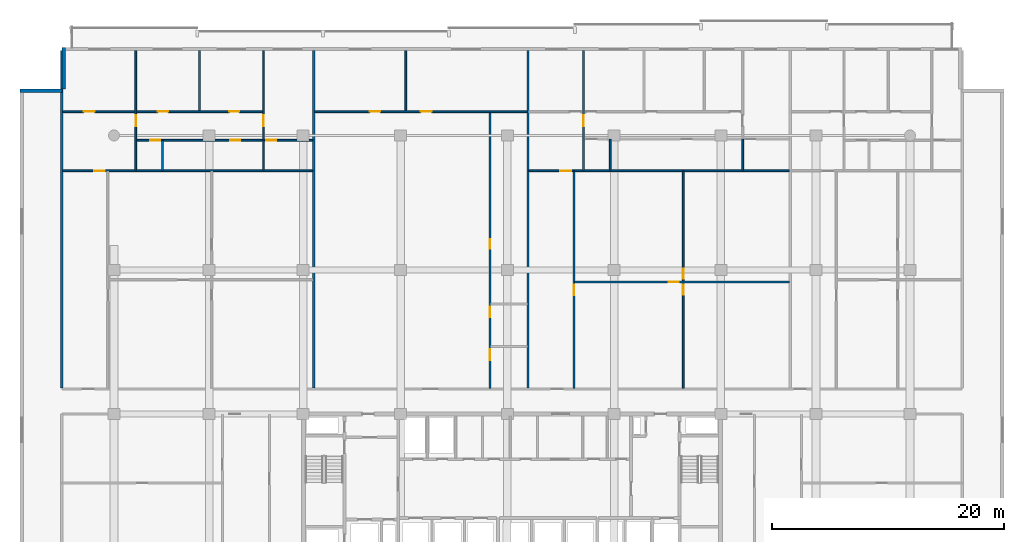
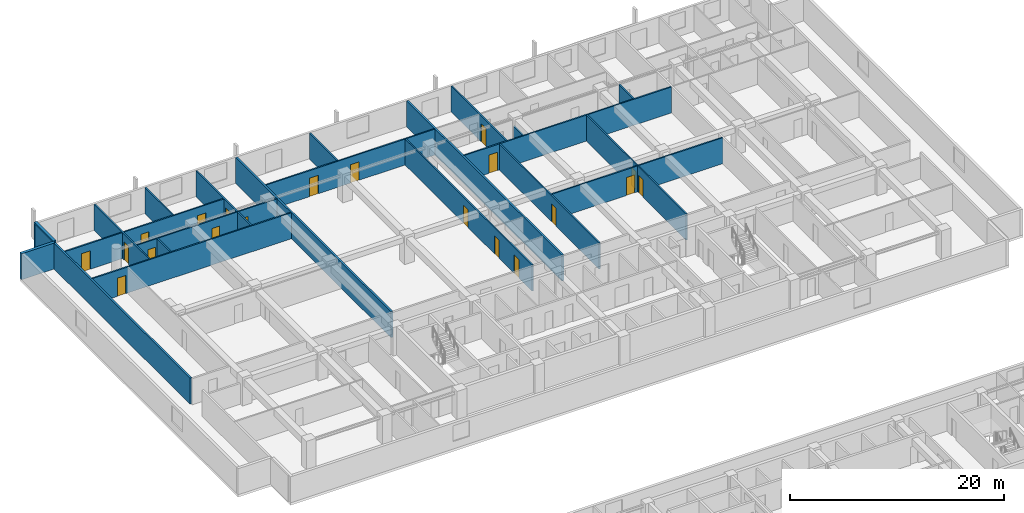
# One storey, part 14 of 23: 23 walls, 20 doors, 20 openings.
"""IFC4 building model written with IfcOpenShell, lengths in metres."""

from ifc_helpers import new_model, si_unit, direction, frame, frame_2d, origin, place, context, subcontext, project, spatial, rectangle, extrude, material, layer, layer_set, type_object, element, fill, save


model = new_model("IFC4")

# Units and contexts
model_context = context("Model", 3, precision=1e-05, world=origin(), true_north=direction((0.0, 1.0)))
body_context = subcontext(model_context, "Body", "Model", "MODEL_VIEW")
ifc_project = project(units=[si_unit("LENGTHUNIT", "METRE"), si_unit("AREAUNIT", "SQUARE_METRE"), si_unit("VOLUMEUNIT", "CUBIC_METRE"), si_unit("PLANEANGLEUNIT", "RADIAN"), si_unit("MASSUNIT", "GRAM", prefix="KILO")], contexts=[model_context])

# Site, building, storey
site_placement = place(None, origin())
site = spatial("IfcSite", under=ifc_project, at=site_placement, CompositionType="ELEMENT")
building_placement = place(site_placement, origin())
building = spatial("IfcBuilding", under=site, at=building_placement, Name="Korimba Cascade Residences", CompositionType="ELEMENT")
storey_placement = place(building_placement, frame((0.0, 0.0, 59.75)))
storey = spatial("IfcBuildingStorey", under=building, at=storey_placement, Name="L16", CompositionType="ELEMENT", Elevation=59.75)

# Walls
ifc_material_1 = material(Name="Precast concrete C40/50", Category="concrete")
ifc_layer_1 = layer(ifc_material_1, 0.300048828125)
ifc_layer_set_1 = layer_set([ifc_layer_1], Name="Precast concrete C40/50")
wall_type_1 = type_object("IfcWallType", Name="EW-STONE-300", PredefinedType="STANDARD", material=ifc_layer_set_1)
for number, where, z_axis, x_axis, name in (
    (1, (55.449951171875, 98.800048828125, 0.0), (0.0, 0.0, 1.0), (0.0, -1.0, 0.0), "L16 T1 Perimeter Stone Wall E07"),
    (2, (55.300048828125, 95.050048828125, 0.0), (0.0, 0.0, 1.0), (-1.0, 0.0, 0.0), "L16 T1 Perimeter Stone Wall E08"),
):
    element("IfcWall", number, at=place(storey_placement, frame(where, z_axis=z_axis, x_axis=x_axis)), inside=storey, type_object=wall_type_1, Name=name, PredefinedType="STANDARD", context=body_context, shape_type="SweptSolid", body=[
        extrude(rectangle(XDim=3.60009765625, YDim=0.300048828125, at=frame_2d((1.800048828125, 0.0))), origin(), (0.0, 0.0, 1.0), 2.969970703125),
    ])
ifc_layer_2 = layer(ifc_material_1, 0.199951171875)
ifc_layer_set_2 = layer_set([ifc_layer_2], Name="Precast concrete C40/50")
wall_type_2 = type_object("IfcWallType", Name="WAL-IT-200", PredefinedType="PARTITIONING", material=ifc_layer_set_2)
for number, where, z_axis, x_axis, name in (
    (3, (55.300048828125, 69.429931640625, 0.0), (0.0, 0.0, 1.0), (0.0, 1.0, 0.0), "L16 Partition Wall WAL-L16-T1-BNDWL"),
    (4, (77.00341796875, 69.429931640625, 0.0), (0.0, 0.0, 1.0), (0.0, 1.0, 0.0), "L16 Partition Wall WAL-L16-T1-DEM-1"),
    (5, (95.477294921875, 69.429931640625, 0.0), (0.0, 0.0, 1.0), (0.0, 1.0, 0.0), "L16 Partition Wall WAL-L16-T1-DEM-2"),
):
    element("IfcWall", number, at=place(storey_placement, frame(where, z_axis=z_axis, x_axis=x_axis)), inside=storey, type_object=wall_type_2, Name=name, PredefinedType="PARTITIONING", context=body_context, shape_type="SweptSolid", body=[
        extrude(rectangle(XDim=29.070068359375, YDim=0.199951171875, at=frame_2d((14.53515625, 0.0))), origin(), (0.0, 0.0, 1.0), 2.969970703125),
    ])
ifc_material_2 = material(Name="Insulated Acoustic Stud Partition", Category="gypsum")
ifc_layer_3 = layer(ifc_material_2, 0.14990234375)
ifc_layer_set_3 = layer_set([ifc_layer_3], Name="Insulated Acoustic Stud Partition")
wall_type_3 = type_object("IfcWallType", Name="WAL-PART-150", PredefinedType="PARTITIONING", material=ifc_layer_set_3)
wall_1_placement = place(storey_placement, frame((63.989990234375, 88.18994140625, 0.0), z_axis=(0.0, 0.0, 1.0), x_axis=(0.0, 1.0, 0.0)))
element("IfcWall", 6, at=wall_1_placement, inside=storey, type_object=wall_type_3, Name="L16 Partition Wall WAL-L16-T1-U01-VDRS", PredefinedType="PARTITIONING", context=body_context, shape_type="SweptSolid", body=[
    extrude(rectangle(XDim=2.580078125, YDim=0.14990234375, at=frame_2d((1.2900390625, 0.0))), origin(), (0.0, 0.0, 1.0), 2.969970703125),
])
wall_2_placement = place(storey_placement, frame((67.1767578125, 93.330078125, 0.0), z_axis=(0.0, 0.0, 1.0), x_axis=(0.0, 1.0, 0.0)))
element("IfcWall", 7, at=wall_2_placement, inside=storey, type_object=wall_type_3, Name="L16 Partition Wall WAL-L16-T1-U01-VB3", PredefinedType="PARTITIONING", context=body_context, shape_type="SweptSolid", body=[
    extrude(rectangle(XDim=5.169921875, YDim=0.14990234375, at=frame_2d((2.5849609375, 0.0))), origin(), (0.0, 0.0, 1.0), 2.969970703125),
])

# Wall, opening, door
wall_3_placement = place(storey_placement, frame((61.679931640625, 88.18994140625, 0.0), z_axis=(0.0, 0.0, 1.0), x_axis=(0.0, 1.0, 0.0)))
wall_3 = element("IfcWall", 8, at=wall_3_placement, inside=storey, type_object=wall_type_3, Name="L16 Partition Wall WAL-L16-T1-U01-V1", PredefinedType="PARTITIONING", context=body_context, shape_type="SweptSolid", body=[
    extrude(rectangle(XDim=10.31005859375, YDim=0.14990234375, at=frame_2d((5.155029296875, 0.0))), origin(), (0.0, 0.0, 1.0), 2.969970703125),
])
opening_1_placement = place(wall_3_placement, frame((3.820068359375, 0.0, 0.0)))
opening_1 = element("IfcOpeningElement", 9, at=opening_1_placement, cuts=wall_3, Name="Opening D-IN1", PredefinedType="OPENING", context=body_context, shape_type="SweptSolid", body=[
    extrude(rectangle(XDim=0.919921875, YDim=2.080078125, at=frame_2d((0.4599609375, 1.0400390625))), frame((0.0, 0.0849609375, 0.0), z_axis=(0.0, -1.0, 0.0), x_axis=(1.0, 0.0, 0.0)), (0.0, 0.0, 1.0), 0.169921875),
])
ifc_material_3 = material(Name="Acoustic Timber Living Door", Category="wood")
door_type_1 = type_object("IfcDoorType", Name="DR-INT-920", OperationType="NOTDEFINED", PredefinedType="DOOR", material=ifc_material_3)
door_1_placement = place(opening_1_placement, origin())
door_1 = element("IfcDoor", 10, at=door_1_placement, inside=storey, type_object=door_type_1, Name="L16-T1-U01 Hallway Door", OperationType="SINGLE_SWING_RIGHT", OverallHeight=2.080078125, OverallWidth=0.919921875, PredefinedType="DOOR", context=body_context, shape_type="SweptSolid", body=[
    extrude(rectangle(XDim=0.919921875, YDim=2.080078125, at=frame_2d((0.4599609375, 1.0400390625))), frame((0.0, 0.02490234375, 0.0), z_axis=(0.0, -1.0, 0.0), x_axis=(1.0, 0.0, 0.0)), (0.0, 0.0, 1.0), 0.050048828125),
])
fill(opening_1, door_1)

# Wall
wall_4_placement = place(storey_placement, frame((72.673583984375, 88.18994140625, 0.0), z_axis=(0.0, 0.0, 1.0), x_axis=(0.0, 1.0, 0.0)))
element("IfcWall", 11, at=wall_4_placement, inside=storey, type_object=wall_type_3, Name="L16 Partition Wall WAL-L16-T1-U01-VBATH", PredefinedType="PARTITIONING", context=body_context, shape_type="SweptSolid", body=[
    extrude(rectangle(XDim=2.580078125, YDim=0.14990234375, at=frame_2d((1.2900390625, 0.0))), origin(), (0.0, 0.0, 1.0), 2.969970703125),
])

# Wall, opening, door
wall_5_placement = place(storey_placement, frame((72.673583984375, 90.81005859375, 0.0), z_axis=(0.0, 0.0, 1.0), x_axis=(0.0, 1.0, 0.0)))
wall_5 = element("IfcWall", 12, at=wall_5_placement, inside=storey, type_object=wall_type_3, Name="L16 Partition Wall WAL-L16-T1-U01-V2FULL", PredefinedType="PARTITIONING", context=body_context, shape_type="SweptSolid", body=[
    extrude(rectangle(XDim=7.68994140625, YDim=0.14990234375, at=frame_2d((3.844970703125, 0.0))), origin(), (0.0, 0.0, 1.0), 2.969970703125),
])
opening_2_placement = place(wall_5_placement, frame((1.199951171875, 0.0, 0.0)))
opening_2 = element("IfcOpeningElement", 13, at=opening_2_placement, cuts=wall_5, Name="Opening D-IN1", PredefinedType="OPENING", context=body_context, shape_type="SweptSolid", body=[
    extrude(rectangle(XDim=0.919921875, YDim=2.080078125, at=frame_2d((0.4599609375, 1.0400390625))), frame((0.0, 0.0849609375, 0.0), z_axis=(0.0, -1.0, 0.0), x_axis=(1.0, 0.0, 0.0)), (0.0, 0.0, 1.0), 0.169921875),
])
door_2_placement = place(opening_2_placement, origin())
door_2 = element("IfcDoor", 14, at=door_2_placement, inside=storey, type_object=door_type_1, Name="L16-T1-U01 Master Bedroom Door", OperationType="SINGLE_SWING_LEFT", OverallHeight=2.080078125, OverallWidth=0.919921875, PredefinedType="DOOR", context=body_context, shape_type="SweptSolid", body=[
    extrude(rectangle(XDim=0.919921875, YDim=2.080078125, at=frame_2d((0.4599609375, 1.0400390625))), frame((0.0, 0.02490234375, 0.0), z_axis=(0.0, -1.0, 0.0), x_axis=(1.0, 0.0, 0.0)), (0.0, 0.0, 1.0), 0.050048828125),
])
fill(opening_2, door_2)

# Wall, openings, doors
wall_6_placement = place(storey_placement, frame((61.719970703125, 90.7900390625, 0.0), z_axis=(0.0, 0.0, 1.0), x_axis=(1.0, 0.0, 0.0)))
wall_6 = element("IfcWall", 15, at=wall_6_placement, inside=storey, type_object=wall_type_3, Name="L16 Partition Wall WAL-L16-T1-U01-HWALL", PredefinedType="PARTITIONING", context=body_context, shape_type="SweptSolid", body=[
    extrude(rectangle(XDim=15.20361328125, YDim=0.14990234375, at=frame_2d((7.601806640625, 0.0))), origin(), (0.0, 0.0, 1.0), 2.969970703125),
])
opening_3_placement = place(wall_6_placement, frame((1.2099609375, 0.0, 0.0)))
opening_3 = element("IfcOpeningElement", 16, at=opening_3_placement, cuts=wall_6, Name="Opening D-BT1", PredefinedType="OPENING", context=body_context, shape_type="SweptSolid", body=[
    extrude(rectangle(XDim=0.840087890625, YDim=2.0400390625, at=frame_2d((0.419921875, 1.02001953125))), frame((0.0, 0.0849609375, 0.0), z_axis=(0.0, -1.0, 0.0), x_axis=(1.0, 0.0, 0.0)), (0.0, 0.0, 1.0), 0.169921875),
])
opening_4_placement = place(wall_6_placement, frame((8.11669921875, 0.0, 0.0)))
opening_4 = element("IfcOpeningElement", 17, at=opening_4_placement, cuts=wall_6, Name="Opening D-BT1", PredefinedType="OPENING", context=body_context, shape_type="SweptSolid", body=[
    extrude(rectangle(XDim=0.840087890625, YDim=2.0400390625, at=frame_2d((0.419921875, 1.02001953125))), frame((0.0, 0.0849609375, 0.0), z_axis=(0.0, -1.0, 0.0), x_axis=(1.0, 0.0, 0.0)), (0.0, 0.0, 1.0), 0.169921875),
])
opening_5_placement = place(wall_6_placement, frame((11.20361328125, 0.0, 0.0)))
opening_5 = element("IfcOpeningElement", 18, at=opening_5_placement, cuts=wall_6, Name="Opening D-BT1", PredefinedType="OPENING", context=body_context, shape_type="SweptSolid", body=[
    extrude(rectangle(XDim=0.840087890625, YDim=2.0400390625, at=frame_2d((0.419921875, 1.02001953125))), frame((0.0, 0.0849609375, 0.0), z_axis=(0.0, -1.0, 0.0), x_axis=(1.0, 0.0, 0.0)), (0.0, 0.0, 1.0), 0.169921875),
])
ifc_material_4 = material(Name="Moisture-Resistant Bathroom Timber Door", Category="wood")
door_type_2 = type_object("IfcDoorType", Name="DR-INT-850", OperationType="NOTDEFINED", PredefinedType="DOOR", material=ifc_material_4)
door_3_placement = place(opening_3_placement, origin())
door_3 = element("IfcDoor", 19, at=door_3_placement, inside=storey, type_object=door_type_2, Name="L16-T1-U01 Family Bathroom Door", OperationType="SINGLE_SWING_RIGHT", OverallHeight=2.0400390625, OverallWidth=0.840087890625, PredefinedType="DOOR", context=body_context, shape_type="SweptSolid", body=[
    extrude(rectangle(XDim=0.840087890625, YDim=2.0400390625, at=frame_2d((0.419921875, 1.02001953125))), frame((0.0, 0.02490234375, 0.0), z_axis=(0.0, -1.0, 0.0), x_axis=(1.0, 0.0, 0.0)), (0.0, 0.0, 1.0), 0.050048828125),
])
fill(opening_3, door_3)
door_4_placement = place(opening_4_placement, origin())
door_4 = element("IfcDoor", 20, at=door_4_placement, inside=storey, type_object=door_type_2, Name="L16-T1-U01 Dressing Room Door", OperationType="SINGLE_SWING_LEFT", OverallHeight=2.0400390625, OverallWidth=0.840087890625, PredefinedType="DOOR", context=body_context, shape_type="SweptSolid", body=[
    extrude(rectangle(XDim=0.840087890625, YDim=2.0400390625, at=frame_2d((0.419921875, 1.02001953125))), frame((0.0, 0.02490234375, 0.0), z_axis=(0.0, -1.0, 0.0), x_axis=(1.0, 0.0, 0.0)), (0.0, 0.0, 1.0), 0.050048828125),
])
fill(opening_4, door_4)
door_5_placement = place(opening_5_placement, origin())
door_5 = element("IfcDoor", 21, at=door_5_placement, inside=storey, type_object=door_type_2, Name="L16-T1-U01 En-Suite Door", OperationType="SINGLE_SWING_RIGHT", OverallHeight=2.0400390625, OverallWidth=0.840087890625, PredefinedType="DOOR", context=body_context, shape_type="SweptSolid", body=[
    extrude(rectangle(XDim=0.840087890625, YDim=2.0400390625, at=frame_2d((0.419921875, 1.02001953125))), frame((0.0, 0.02490234375, 0.0), z_axis=(0.0, -1.0, 0.0), x_axis=(1.0, 0.0, 0.0)), (0.0, 0.0, 1.0), 0.050048828125),
])
fill(opening_5, door_5)

# Wall, opening, door
wall_7_placement = place(storey_placement, frame((55.3798828125, 88.14990234375, 0.0), z_axis=(0.0, 0.0, 1.0), x_axis=(1.0, 0.0, 0.0)))
wall_7 = element("IfcWall", 22, at=wall_7_placement, inside=storey, type_object=wall_type_3, Name="L16 Partition Wall WAL-L16-T1-U01-MW", PredefinedType="PARTITIONING", context=body_context, shape_type="SweptSolid", body=[
    extrude(rectangle(XDim=21.543701171875, YDim=0.14990234375, at=frame_2d((10.77197265625, 0.0))), origin(), (0.0, 0.0, 1.0), 2.969970703125),
])
opening_6_placement = place(wall_7_placement, frame((2.719970703125, 0.0, 0.0)))
opening_6 = element("IfcOpeningElement", 23, at=opening_6_placement, cuts=wall_7, Name="Opening D-IN1", PredefinedType="OPENING", context=body_context, shape_type="SweptSolid", body=[
    extrude(rectangle(XDim=0.919921875, YDim=2.080078125, at=frame_2d((0.4599609375, 1.0400390625))), frame((0.0, 0.0849609375, 0.0), z_axis=(0.0, -1.0, 0.0), x_axis=(1.0, 0.0, 0.0)), (0.0, 0.0, 1.0), 0.169921875),
])
door_6_placement = place(opening_6_placement, origin())
door_6 = element("IfcDoor", 24, at=door_6_placement, inside=storey, type_object=door_type_1, Name="L16-T1-U01 Kitchen Door", OperationType="SINGLE_SWING_LEFT", OverallHeight=2.080078125, OverallWidth=0.919921875, PredefinedType="DOOR", context=body_context, shape_type="SweptSolid", body=[
    extrude(rectangle(XDim=0.919921875, YDim=2.080078125, at=frame_2d((0.4599609375, 1.0400390625))), frame((0.0, 0.02490234375, 0.0), z_axis=(0.0, -1.0, 0.0), x_axis=(1.0, 0.0, 0.0)), (0.0, 0.0, 1.0), 0.050048828125),
])
fill(opening_6, door_6)

# Wall, openings, doors
wall_8_placement = place(storey_placement, frame((55.3798828125, 93.25, 0.0), z_axis=(0.0, 0.0, 1.0), x_axis=(1.0, 0.0, 0.0)))
wall_8 = element("IfcWall", 25, at=wall_8_placement, inside=storey, type_object=wall_type_3, Name="L16 Partition Wall WAL-L16-T1-U01-HZ", PredefinedType="PARTITIONING", context=body_context, shape_type="SweptSolid", body=[
    extrude(rectangle(XDim=17.293701171875, YDim=0.14990234375, at=frame_2d((8.64697265625, 0.0))), origin(), (0.0, 0.0, 1.0), 2.969970703125),
])
opening_7_placement = place(wall_8_placement, frame((1.80517578125, 0.0, 0.0)))
opening_7 = element("IfcOpeningElement", 26, at=opening_7_placement, cuts=wall_8, Name="Opening D-IN0", PredefinedType="OPENING", context=body_context, shape_type="SweptSolid", body=[
    extrude(rectangle(XDim=0.93994140625, YDim=2.10009765625, at=frame_2d((0.469970703125, 1.050048828125))), frame((0.0, 0.0849609375, 0.0), z_axis=(0.0, -1.0, 0.0), x_axis=(1.0, 0.0, 0.0)), (0.0, 0.0, 1.0), 0.169921875),
])
opening_8_placement = place(wall_8_placement, frame((8.206787109375, 0.0, 0.0)))
opening_8 = element("IfcOpeningElement", 27, at=opening_8_placement, cuts=wall_8, Name="Opening D-IN2", PredefinedType="OPENING", context=body_context, shape_type="SweptSolid", body=[
    extrude(rectangle(XDim=0.8798828125, YDim=2.06005859375, at=frame_2d((0.43994140625, 1.030029296875))), frame((0.0, 0.0849609375, 0.0), z_axis=(0.0, -1.0, 0.0), x_axis=(1.0, 0.0, 0.0)), (0.0, 0.0, 1.0), 0.169921875),
])
opening_9_placement = place(wall_8_placement, frame((14.355712890625, 0.0, 0.0)))
opening_9 = element("IfcOpeningElement", 28, at=opening_9_placement, cuts=wall_8, Name="Opening D-IN2", PredefinedType="OPENING", context=body_context, shape_type="SweptSolid", body=[
    extrude(rectangle(XDim=0.8798828125, YDim=2.06005859375, at=frame_2d((0.43994140625, 1.030029296875))), frame((0.0, 0.0849609375, 0.0), z_axis=(0.0, -1.0, 0.0), x_axis=(1.0, 0.0, 0.0)), (0.0, 0.0, 1.0), 0.169921875),
])
ifc_material_5 = material(Name="Acoustic Timber Bedroom Door", Category="wood")
door_type_3 = type_object("IfcDoorType", Name="DR-INT-880", OperationType="NOTDEFINED", PredefinedType="DOOR", material=ifc_material_5)
door_7_placement = place(opening_8_placement, origin())
door_7 = element("IfcDoor", 29, at=door_7_placement, inside=storey, type_object=door_type_3, Name="L16-T1-U01 Bedroom 2 Door", OperationType="SINGLE_SWING_LEFT", OverallHeight=2.06005859375, OverallWidth=0.8798828125, PredefinedType="DOOR", context=body_context, shape_type="SweptSolid", body=[
    extrude(rectangle(XDim=0.8798828125, YDim=2.06005859375, at=frame_2d((0.43994140625, 1.030029296875))), frame((0.0, 0.02490234375, 0.0), z_axis=(0.0, -1.0, 0.0), x_axis=(1.0, 0.0, 0.0)), (0.0, 0.0, 1.0), 0.050048828125),
])
fill(opening_8, door_7)
door_8_placement = place(opening_9_placement, origin())
door_8 = element("IfcDoor", 30, at=door_8_placement, inside=storey, type_object=door_type_3, Name="L16-T1-U01 Bedroom 3 Door", OperationType="SINGLE_SWING_RIGHT", OverallHeight=2.06005859375, OverallWidth=0.8798828125, PredefinedType="DOOR", context=body_context, shape_type="SweptSolid", body=[
    extrude(rectangle(XDim=0.8798828125, YDim=2.06005859375, at=frame_2d((0.43994140625, 1.030029296875))), frame((0.0, 0.02490234375, 0.0), z_axis=(0.0, -1.0, 0.0), x_axis=(1.0, 0.0, 0.0)), (0.0, 0.0, 1.0), 0.050048828125),
])
fill(opening_9, door_8)
ifc_material_6 = material(Name="Acoustic Timber Living Archway Door", Category="wood")
door_type_4 = type_object("IfcDoorType", Name="DR-INT-950", OperationType="NOTDEFINED", PredefinedType="DOOR", material=ifc_material_6)
door_9_placement = place(opening_7_placement, origin())
door_9 = element("IfcDoor", 31, at=door_9_placement, inside=storey, type_object=door_type_4, Name="L16-T1-U01 Living Room Door", OperationType="SINGLE_SWING_RIGHT", OverallHeight=2.10009765625, OverallWidth=0.93994140625, PredefinedType="DOOR", context=body_context, shape_type="SweptSolid", body=[
    extrude(rectangle(XDim=0.93994140625, YDim=2.10009765625, at=frame_2d((0.469970703125, 1.050048828125))), frame((0.0, 0.02490234375, 0.0), z_axis=(0.0, -1.0, 0.0), x_axis=(1.0, 0.0, 0.0)), (0.0, 0.0, 1.0), 0.050048828125),
])
fill(opening_7, door_9)

wall_9_placement = place(storey_placement, frame((92.207275390625, 69.409912109375, 0.0), z_axis=(0.0, 0.0, 1.0), x_axis=(0.0, 1.0, 0.0)))
wall_9 = element("IfcWall", 32, at=wall_9_placement, inside=storey, type_object=wall_type_3, Name="L16 Partition Wall WAL-L16-T1-U02-WCV", PredefinedType="PARTITIONING", context=body_context, shape_type="SweptSolid", body=[
    extrude(rectangle(XDim=23.780029296875, YDim=0.14990234375, at=frame_2d((11.89013671875, 0.0))), origin(), (0.0, 0.0, 1.0), 2.969970703125),
])
opening_10_placement = place(wall_9_placement, frame((2.406005859375, 0.0, 0.0)))
opening_10 = element("IfcOpeningElement", 33, at=opening_10_placement, cuts=wall_9, Name="Opening D-AC1", PredefinedType="OPENING", context=body_context, shape_type="SweptSolid", body=[
    extrude(rectangle(XDim=0.9599609375, YDim=2.10009765625, at=frame_2d((0.47998046875, 1.050048828125))), frame((0.0, 0.0849609375, 0.0), z_axis=(0.0, -1.0, 0.0), x_axis=(1.0, 0.0, 0.0)), (0.0, 0.0, 1.0), 0.169921875),
])
opening_11_placement = place(wall_9_placement, frame((6.132568359375, 0.0, 0.0)))
opening_11 = element("IfcOpeningElement", 34, at=opening_11_placement, cuts=wall_9, Name="Opening D-IN2", PredefinedType="OPENING", context=body_context, shape_type="SweptSolid", body=[
    extrude(rectangle(XDim=0.8798828125, YDim=2.06005859375, at=frame_2d((0.43994140625, 1.030029296875))), frame((0.0, 0.0849609375, 0.0), z_axis=(0.0, -1.0, 0.0), x_axis=(1.0, 0.0, 0.0)), (0.0, 0.0, 1.0), 0.169921875),
])
opening_12_placement = place(wall_9_placement, frame((12.02587890625, 0.0, 0.0)))
opening_12 = element("IfcOpeningElement", 35, at=opening_12_placement, cuts=wall_9, Name="Opening D-BT1", PredefinedType="OPENING", context=body_context, shape_type="SweptSolid", body=[
    extrude(rectangle(XDim=0.840087890625, YDim=2.0400390625, at=frame_2d((0.419921875, 1.02001953125))), frame((0.0, 0.0849609375, 0.0), z_axis=(0.0, -1.0, 0.0), x_axis=(1.0, 0.0, 0.0)), (0.0, 0.0, 1.0), 0.169921875),
])
ifc_material_7 = material(Name="Accessible Acoustic Timber WC Door", Category="wood")
door_type_5 = type_object("IfcDoorType", Name="DR-ACC-950", OperationType="NOTDEFINED", PredefinedType="DOOR", material=ifc_material_7)
door_10_placement = place(opening_10_placement, origin())
door_10 = element("IfcDoor", 36, at=door_10_placement, inside=storey, type_object=door_type_5, Name="L16-T1-U02 Accessible WC Door", OperationType="SINGLE_SWING_LEFT", OverallHeight=2.10009765625, OverallWidth=0.9599609375, PredefinedType="DOOR", context=body_context, shape_type="SweptSolid", body=[
    extrude(rectangle(XDim=0.9599609375, YDim=2.10009765625, at=frame_2d((0.47998046875, 1.050048828125))), frame((0.0, 0.02490234375, 0.0), z_axis=(0.0, -1.0, 0.0), x_axis=(1.0, 0.0, 0.0)), (0.0, 0.0, 1.0), 0.050048828125),
])
fill(opening_10, door_10)
door_11_placement = place(opening_12_placement, origin())
door_11 = element("IfcDoor", 37, at=door_11_placement, inside=storey, type_object=door_type_2, Name="L16-T1-U02 Suite Store Door", OperationType="SINGLE_SWING_LEFT", OverallHeight=2.0400390625, OverallWidth=0.840087890625, PredefinedType="DOOR", context=body_context, shape_type="SweptSolid", body=[
    extrude(rectangle(XDim=0.840087890625, YDim=2.0400390625, at=frame_2d((0.419921875, 1.02001953125))), frame((0.0, 0.02490234375, 0.0), z_axis=(0.0, -1.0, 0.0), x_axis=(1.0, 0.0, 0.0)), (0.0, 0.0, 1.0), 0.050048828125),
])
fill(opening_12, door_11)
door_12_placement = place(opening_11_placement, origin())
door_12 = element("IfcDoor", 38, at=door_12_placement, inside=storey, type_object=door_type_3, Name="L16-T1-U02 Restroom WC Door", OperationType="SINGLE_SWING_RIGHT", OverallHeight=2.06005859375, OverallWidth=0.8798828125, PredefinedType="DOOR", context=body_context, shape_type="SweptSolid", body=[
    extrude(rectangle(XDim=0.8798828125, YDim=2.06005859375, at=frame_2d((0.43994140625, 1.030029296875))), frame((0.0, 0.02490234375, 0.0), z_axis=(0.0, -1.0, 0.0), x_axis=(1.0, 0.0, 0.0)), (0.0, 0.0, 1.0), 0.050048828125),
])
fill(opening_11, door_12)

# Wall
wall_10_placement = place(storey_placement, frame((84.935302734375, 93.330078125, 0.0), z_axis=(0.0, 0.0, 1.0), x_axis=(0.0, 1.0, 0.0)))
element("IfcWall", 39, at=wall_10_placement, inside=storey, type_object=wall_type_3, Name="L16 Partition Wall WAL-L16-T1-U02-OUTV", PredefinedType="PARTITIONING", context=body_context, shape_type="SweptSolid", body=[
    extrude(rectangle(XDim=5.169921875, YDim=0.14990234375, at=frame_2d((2.5849609375, 0.0))), origin(), (0.0, 0.0, 1.0), 2.969970703125),
])

# Wall, openings, doors
wall_11_placement = place(storey_placement, frame((77.08349609375, 93.25, 0.0), z_axis=(0.0, 0.0, 1.0), x_axis=(1.0, 0.0, 0.0)))
wall_11 = element("IfcWall", 40, at=wall_11_placement, inside=storey, type_object=wall_type_3, Name="L16 Partition Wall WAL-L16-T1-U02-HZ", PredefinedType="PARTITIONING", context=body_context, shape_type="SweptSolid", body=[
    extrude(rectangle(XDim=18.313720703125, YDim=0.14990234375, at=frame_2d((9.15673828125, 0.0))), origin(), (0.0, 0.0, 1.0), 2.969970703125),
])
opening_13_placement = place(wall_11_placement, frame((4.73828125, 0.0, 0.0)))
opening_13 = element("IfcOpeningElement", 41, at=opening_13_placement, cuts=wall_11, Name="Opening D-IN0", PredefinedType="OPENING", context=body_context, shape_type="SweptSolid", body=[
    extrude(rectangle(XDim=0.93994140625, YDim=2.10009765625, at=frame_2d((0.469970703125, 1.050048828125))), frame((0.0, 0.0849609375, 0.0), z_axis=(0.0, -1.0, 0.0), x_axis=(1.0, 0.0, 0.0)), (0.0, 0.0, 1.0), 0.169921875),
])
opening_14_placement = place(wall_11_placement, frame((9.151611328125, 0.0, 0.0)))
opening_14 = element("IfcOpeningElement", 42, at=opening_14_placement, cuts=wall_11, Name="Opening D-IN0", PredefinedType="OPENING", context=body_context, shape_type="SweptSolid", body=[
    extrude(rectangle(XDim=0.93994140625, YDim=2.10009765625, at=frame_2d((0.469970703125, 1.050048828125))), frame((0.0, 0.0849609375, 0.0), z_axis=(0.0, -1.0, 0.0), x_axis=(1.0, 0.0, 0.0)), (0.0, 0.0, 1.0), 0.169921875),
])
door_13_placement = place(opening_13_placement, origin())
door_13 = element("IfcDoor", 43, at=door_13_placement, inside=storey, type_object=door_type_4, Name="L16-T1-U02 Fitness Pilates Gym Door", OperationType="SINGLE_SWING_RIGHT", OverallHeight=2.10009765625, OverallWidth=0.93994140625, PredefinedType="DOOR", context=body_context, shape_type="SweptSolid", body=[
    extrude(rectangle(XDim=0.93994140625, YDim=2.10009765625, at=frame_2d((0.469970703125, 1.050048828125))), frame((0.0, 0.02490234375, 0.0), z_axis=(0.0, -1.0, 0.0), x_axis=(1.0, 0.0, 0.0)), (0.0, 0.0, 1.0), 0.050048828125),
])
fill(opening_13, door_13)
door_14_placement = place(opening_14_placement, origin())
door_14 = element("IfcDoor", 44, at=door_14_placement, inside=storey, type_object=door_type_4, Name="L16-T1-U02 Private Screening Cinema Door", OperationType="SINGLE_SWING_LEFT", OverallHeight=2.10009765625, OverallWidth=0.93994140625, PredefinedType="DOOR", context=body_context, shape_type="SweptSolid", body=[
    extrude(rectangle(XDim=0.93994140625, YDim=2.10009765625, at=frame_2d((0.469970703125, 1.050048828125))), frame((0.0, 0.02490234375, 0.0), z_axis=(0.0, -1.0, 0.0), x_axis=(1.0, 0.0, 0.0)), (0.0, 0.0, 1.0), 0.050048828125),
])
fill(opening_14, door_14)

wall_12_placement = place(storey_placement, frame((108.855224609375, 69.409912109375, 0.0), z_axis=(0.0, 0.0, 1.0), x_axis=(0.0, 1.0, 0.0)))
wall_12 = element("IfcWall", 45, at=wall_12_placement, inside=storey, type_object=wall_type_3, Name="L16 Partition Wall WAL-L16-T1-U03-FMV", PredefinedType="PARTITIONING", context=body_context, shape_type="SweptSolid", body=[
    extrude(rectangle(XDim=18.7001953125, YDim=0.14990234375, at=frame_2d((9.35009765625, 0.0))), origin(), (0.0, 0.0, 1.0), 2.969970703125),
])
opening_15_placement = place(wall_12_placement, frame((8.080078125, 0.0, 0.0)))
opening_15 = element("IfcOpeningElement", 46, at=opening_15_placement, cuts=wall_12, Name="Opening D-BT1", PredefinedType="OPENING", context=body_context, shape_type="SweptSolid", body=[
    extrude(rectangle(XDim=0.840087890625, YDim=2.0400390625, at=frame_2d((0.419921875, 1.02001953125))), frame((0.0, 0.0849609375, 0.0), z_axis=(0.0, -1.0, 0.0), x_axis=(1.0, 0.0, 0.0)), (0.0, 0.0, 1.0), 0.169921875),
])
opening_16_placement = place(wall_12_placement, frame((9.419921875, 0.0, 0.0)))
opening_16 = element("IfcOpeningElement", 47, at=opening_16_placement, cuts=wall_12, Name="Opening D-IN2", PredefinedType="OPENING", context=body_context, shape_type="SweptSolid", body=[
    extrude(rectangle(XDim=0.8798828125, YDim=2.06005859375, at=frame_2d((0.43994140625, 1.030029296875))), frame((0.0, 0.0849609375, 0.0), z_axis=(0.0, -1.0, 0.0), x_axis=(1.0, 0.0, 0.0)), (0.0, 0.0, 1.0), 0.169921875),
])
door_15_placement = place(opening_15_placement, origin())
door_15 = element("IfcDoor", 48, at=door_15_placement, inside=storey, type_object=door_type_2, Name="L16-T1-U03 Wardrobe Door", OperationType="SINGLE_SWING_RIGHT", OverallHeight=2.0400390625, OverallWidth=0.840087890625, PredefinedType="DOOR", context=body_context, shape_type="SweptSolid", body=[
    extrude(rectangle(XDim=0.840087890625, YDim=2.0400390625, at=frame_2d((0.419921875, 1.02001953125))), frame((0.0, 0.02490234375, 0.0), z_axis=(0.0, -1.0, 0.0), x_axis=(1.0, 0.0, 0.0)), (0.0, 0.0, 1.0), 0.050048828125),
])
fill(opening_15, door_15)
door_16_placement = place(opening_16_placement, origin())
door_16 = element("IfcDoor", 49, at=door_16_placement, inside=storey, type_object=door_type_3, Name="L16-T1-U03 Music Lounge Door", OperationType="SINGLE_SWING_LEFT", OverallHeight=2.06005859375, OverallWidth=0.8798828125, PredefinedType="DOOR", context=body_context, shape_type="SweptSolid", body=[
    extrude(rectangle(XDim=0.8798828125, YDim=2.06005859375, at=frame_2d((0.43994140625, 1.030029296875))), frame((0.0, 0.02490234375, 0.0), z_axis=(0.0, -1.0, 0.0), x_axis=(1.0, 0.0, 0.0)), (0.0, 0.0, 1.0), 0.050048828125),
])
fill(opening_16, door_16)

# Wall, opening, door
wall_13_placement = place(storey_placement, frame((99.50732421875, 78.580078125, 0.0), z_axis=(0.0, 0.0, 1.0), x_axis=(1.0, 0.0, 0.0)))
wall_13 = element("IfcWall", 50, at=wall_13_placement, inside=storey, type_object=wall_type_3, Name="L16 Partition Wall WAL-L16-T1-U03-FMH", PredefinedType="PARTITIONING", context=body_context, shape_type="SweptSolid", body=[
    extrude(rectangle(XDim=18.495849609375, YDim=0.14990234375, at=frame_2d((9.248046875, 0.0))), origin(), (0.0, 0.0, 1.0), 2.969970703125),
])
opening_17_placement = place(wall_13_placement, frame((8.08984375, 0.0, 0.0)))
opening_17 = element("IfcOpeningElement", 51, at=opening_17_placement, cuts=wall_13, Name="Opening D-IN2", PredefinedType="OPENING", context=body_context, shape_type="SweptSolid", body=[
    extrude(rectangle(XDim=0.8798828125, YDim=2.06005859375, at=frame_2d((0.43994140625, 1.030029296875))), frame((0.0, 0.0849609375, 0.0), z_axis=(0.0, -1.0, 0.0), x_axis=(1.0, 0.0, 0.0)), (0.0, 0.0, 1.0), 0.169921875),
])
door_17_placement = place(opening_17_placement, origin())
door_17 = element("IfcDoor", 52, at=door_17_placement, inside=storey, type_object=door_type_3, Name="L16-T1-U03 Library Salon Door", OperationType="SINGLE_SWING_RIGHT", OverallHeight=2.06005859375, OverallWidth=0.8798828125, PredefinedType="DOOR", context=body_context, shape_type="SweptSolid", body=[
    extrude(rectangle(XDim=0.8798828125, YDim=2.06005859375, at=frame_2d((0.43994140625, 1.030029296875))), frame((0.0, 0.02490234375, 0.0), z_axis=(0.0, -1.0, 0.0), x_axis=(1.0, 0.0, 0.0)), (0.0, 0.0, 1.0), 0.050048828125),
])
fill(opening_17, door_17)

wall_14_placement = place(storey_placement, frame((99.447265625, 69.409912109375, 0.0), z_axis=(0.0, 0.0, 1.0), x_axis=(0.0, 1.0, 0.0)))
wall_14 = element("IfcWall", 53, at=wall_14_placement, inside=storey, type_object=wall_type_3, Name="L16 Partition Wall WAL-L16-T1-U03-FV", PredefinedType="PARTITIONING", context=body_context, shape_type="SweptSolid", body=[
    extrude(rectangle(XDim=18.7001953125, YDim=0.14990234375, at=frame_2d((9.35009765625, 0.0))), origin(), (0.0, 0.0, 1.0), 2.969970703125),
])
opening_18_placement = place(wall_14_placement, frame((8.0400390625, 0.0, 0.0)))
opening_18 = element("IfcOpeningElement", 54, at=opening_18_placement, cuts=wall_14, Name="Opening D-IN2", PredefinedType="OPENING", context=body_context, shape_type="SweptSolid", body=[
    extrude(rectangle(XDim=0.8798828125, YDim=2.06005859375, at=frame_2d((0.43994140625, 1.030029296875))), frame((0.0, 0.0849609375, 0.0), z_axis=(0.0, -1.0, 0.0), x_axis=(1.0, 0.0, 0.0)), (0.0, 0.0, 1.0), 0.169921875),
])
door_18_placement = place(opening_18_placement, origin())
door_18 = element("IfcDoor", 55, at=door_18_placement, inside=storey, type_object=door_type_3, Name="L16-T1-U03 Media Lounge Door", OperationType="SINGLE_SWING_LEFT", OverallHeight=2.06005859375, OverallWidth=0.8798828125, PredefinedType="DOOR", context=body_context, shape_type="SweptSolid", body=[
    extrude(rectangle(XDim=0.8798828125, YDim=2.06005859375, at=frame_2d((0.43994140625, 1.030029296875))), frame((0.0, 0.02490234375, 0.0), z_axis=(0.0, -1.0, 0.0), x_axis=(1.0, 0.0, 0.0)), (0.0, 0.0, 1.0), 0.050048828125),
])
fill(opening_18, door_18)

# Wall
wall_15_placement = place(storey_placement, frame((102.577392578125, 88.18994140625, 0.0), z_axis=(0.0, 0.0, 1.0), x_axis=(0.0, 1.0, 0.0)))
element("IfcWall", 56, at=wall_15_placement, inside=storey, type_object=wall_type_3, Name="L16 Partition Wall WAL-L16-T1-U03-VDRS", PredefinedType="PARTITIONING", context=body_context, shape_type="SweptSolid", body=[
    extrude(rectangle(XDim=2.68994140625, YDim=0.14990234375, at=frame_2d((1.344970703125, 0.0))), origin(), (0.0, 0.0, 1.0), 2.219970703125),
])

# Wall, opening, door
wall_16_placement = place(storey_placement, frame((100.267333984375, 88.18994140625, 0.0), z_axis=(0.0, 0.0, 1.0), x_axis=(0.0, 1.0, 0.0)))
wall_16 = element("IfcWall", 57, at=wall_16_placement, inside=storey, type_object=wall_type_3, Name="L16 Partition Wall WAL-L16-T1-U03-V1", PredefinedType="PARTITIONING", context=body_context, shape_type="SweptSolid", body=[
    extrude(rectangle(XDim=10.31005859375, YDim=0.14990234375, at=frame_2d((5.155029296875, 0.0))), origin(), (0.0, 0.0, 1.0), 2.969970703125),
])
opening_19_placement = place(wall_16_placement, frame((3.820068359375, 0.0, 0.0)))
opening_19 = element("IfcOpeningElement", 58, at=opening_19_placement, cuts=wall_16, Name="Opening D-IN1", PredefinedType="OPENING", context=body_context, shape_type="SweptSolid", body=[
    extrude(rectangle(XDim=0.919921875, YDim=2.080078125, at=frame_2d((0.4599609375, 1.0400390625))), frame((0.0, 0.0849609375, 0.0), z_axis=(0.0, -1.0, 0.0), x_axis=(1.0, 0.0, 0.0)), (0.0, 0.0, 1.0), 0.169921875),
])
door_19_placement = place(opening_19_placement, origin())
door_19 = element("IfcDoor", 59, at=door_19_placement, inside=storey, type_object=door_type_1, Name="L16-T1-U03 Hallway Door", OperationType="SINGLE_SWING_RIGHT", OverallHeight=2.080078125, OverallWidth=0.919921875, PredefinedType="DOOR", context=body_context, shape_type="SweptSolid", body=[
    extrude(rectangle(XDim=0.919921875, YDim=2.080078125, at=frame_2d((0.4599609375, 1.0400390625))), frame((0.0, 0.02490234375, 0.0), z_axis=(0.0, -1.0, 0.0), x_axis=(1.0, 0.0, 0.0)), (0.0, 0.0, 1.0), 0.050048828125),
])
fill(opening_19, door_19)

# Wall
wall_17_placement = place(storey_placement, frame((113.97998046875, 88.18994140625, 0.0), z_axis=(0.0, 0.0, 1.0), x_axis=(0.0, 1.0, 0.0)))
element("IfcWall", 60, at=wall_17_placement, inside=storey, type_object=wall_type_3, Name="L16 Partition Wall WAL-L16-T1-U03-VBATH", PredefinedType="PARTITIONING", context=body_context, shape_type="SweptSolid", body=[
    extrude(rectangle(XDim=2.68994140625, YDim=0.14990234375, at=frame_2d((1.344970703125, 0.0))), origin(), (0.0, 0.0, 1.0), 2.969970703125),
])

# Wall, opening, door
wall_18_placement = place(storey_placement, frame((95.557373046875, 88.14990234375, 0.0), z_axis=(0.0, 0.0, 1.0), x_axis=(1.0, 0.0, 0.0)))
wall_18 = element("IfcWall", 61, at=wall_18_placement, inside=storey, type_object=wall_type_3, Name="L16 Partition Wall WAL-L16-T1-U03-MW", PredefinedType="PARTITIONING", context=body_context, shape_type="SweptSolid", body=[
    extrude(rectangle(XDim=22.44580078125, YDim=0.14990234375, at=frame_2d((11.222900390625, 0.0))), origin(), (0.0, 0.0, 1.0), 2.969970703125),
])
opening_20_placement = place(wall_18_placement, frame((2.719970703125, 0.0, 0.0)))
opening_20 = element("IfcOpeningElement", 62, at=opening_20_placement, cuts=wall_18, Name="Opening D-IN1", PredefinedType="OPENING", context=body_context, shape_type="SweptSolid", body=[
    extrude(rectangle(XDim=0.919921875, YDim=2.080078125, at=frame_2d((0.4599609375, 1.0400390625))), frame((0.0, 0.0849609375, 0.0), z_axis=(0.0, -1.0, 0.0), x_axis=(1.0, 0.0, 0.0)), (0.0, 0.0, 1.0), 0.169921875),
])
door_20_placement = place(opening_20_placement, origin())
door_20 = element("IfcDoor", 63, at=door_20_placement, inside=storey, type_object=door_type_1, Name="L16-T1-U03 Kitchen Door", OperationType="SINGLE_SWING_LEFT", OverallHeight=2.080078125, OverallWidth=0.919921875, PredefinedType="DOOR", context=body_context, shape_type="SweptSolid", body=[
    extrude(rectangle(XDim=0.919921875, YDim=2.080078125, at=frame_2d((0.4599609375, 1.0400390625))), frame((0.0, 0.02490234375, 0.0), z_axis=(0.0, -1.0, 0.0), x_axis=(1.0, 0.0, 0.0)), (0.0, 0.0, 1.0), 0.050048828125),
])
fill(opening_20, door_20)

save(model, "model.ifc")
